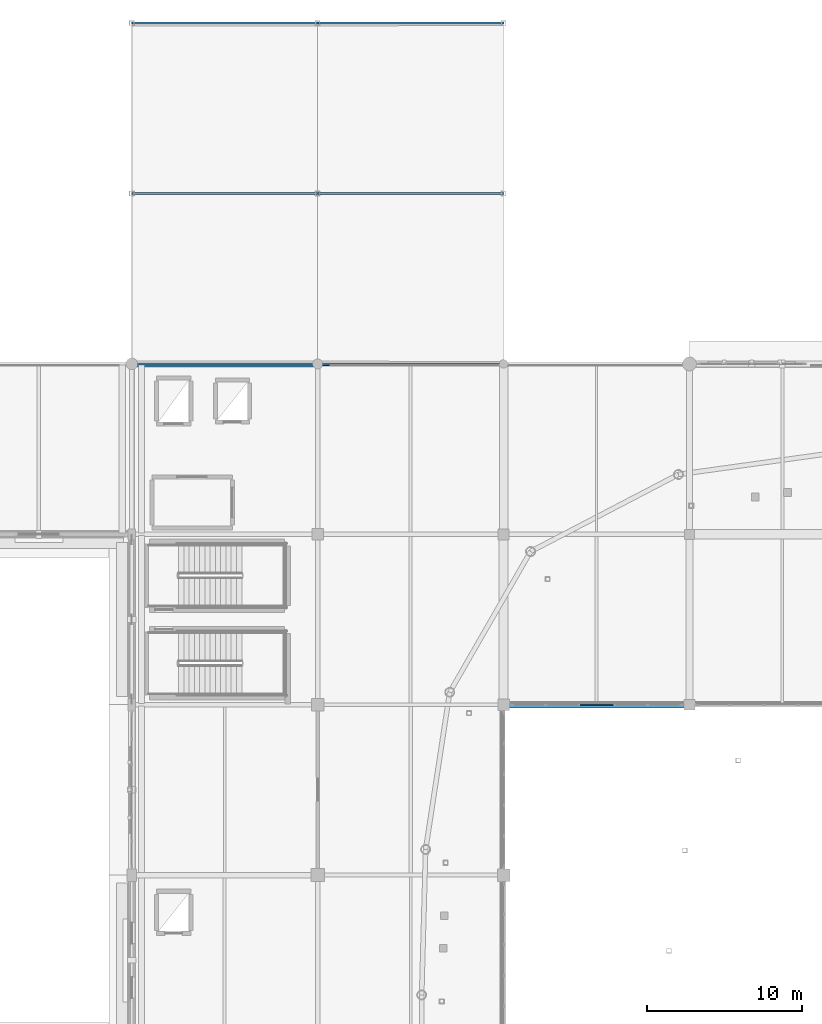
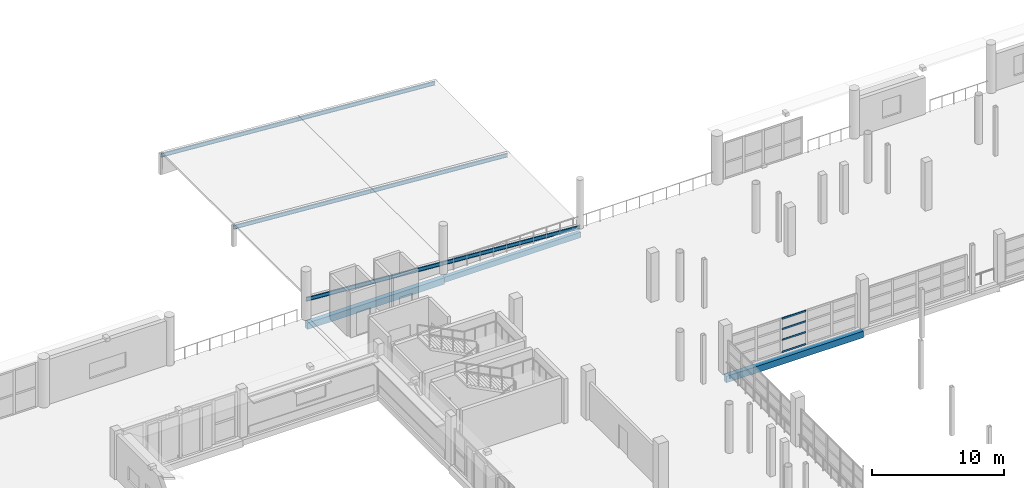
# One storey, part 42 of 118: 9 beams, 4 members, 1 element without a shape of its own.
"""IFC4 building model written with IfcOpenShell, lengths in metres."""

from ifc_helpers import new_model, si_unit, direction, frame, origin, origin_2d, place, context, subcontext, project, spatial, rectangle, hollow_rectangle, i_section, extrude, material, material_profile, profile_set, type_object, element, aggregate, save


model = new_model("IFC4")

# Units and contexts
model_context = context("Model", 3, precision=1e-05, world=origin(), true_north=direction((0.0, 1.0)))
body_context = subcontext(model_context, "Body", "Model", "MODEL_VIEW")
ifc_project = project(units=[si_unit("LENGTHUNIT", "METRE"), si_unit("AREAUNIT", "SQUARE_METRE"), si_unit("VOLUMEUNIT", "CUBIC_METRE"), si_unit("PLANEANGLEUNIT", "RADIAN"), si_unit("MASSUNIT", "GRAM", prefix="KILO")], contexts=[model_context])

# Site, building, storey
site_placement = place(None, origin())
site = spatial("IfcSite", under=ifc_project, at=site_placement, CompositionType="ELEMENT")
building_placement = place(site_placement, origin())
building = spatial("IfcBuilding", under=site, at=building_placement, Name="Luwafu Chhajja Arena", CompositionType="ELEMENT")
storey_placement = place(building_placement, frame((0.0, 0.0, 10.199951171875)))
storey = spatial("IfcBuildingStorey", under=building, at=storey_placement, Name="L02", CompositionType="ELEMENT", Elevation=10.199951171875)

# Curtain wall, members
ifc_material_1 = material(Name="Anodised bronze aluminium", Category="aluminium")
curtain_wall_type = type_object("IfcCurtainWallType", Name="Hospitality Ring Curtain Wall", PredefinedType="USERDEFINED", material=ifc_material_1)
curtain_wall_placement = place(storey_placement, origin())
curtain_wall = element("IfcCurtainWall", 1, at=curtain_wall_placement, inside=storey, type_object=curtain_wall_type, Name="L02 Bowl Viewing Curtain Wall CWR-L02-08", ObjectType="CURTAIN WALL", PredefinedType="USERDEFINED")
ifc_material_profile_1 = material_profile(ifc_material_1, rectangle(XDim=0.06494140625, YDim=0.14990234375, at=origin_2d()), Name="CWT 65x150")
ifc_profile_set_1 = profile_set([ifc_material_profile_1], Name="Anodised bronze aluminium")
member_type = type_object("IfcMemberType", Name="Bronze Curtain Wall Transom 65x150", PredefinedType="USERDEFINED", material=ifc_profile_set_1)
member_1_placement = place(storey_placement, frame((62.945556640625, 77.0, 0.032470703125), z_axis=(1.0, 0.0, 0.0), x_axis=(0.0, 1.0, 0.0)))
member_1 = element("IfcMember", 2, at=member_1_placement, type_object=member_type, Name="CW-02 transom 3.1", ObjectType="TRANSOM", PredefinedType="USERDEFINED", context=body_context, shape_type="SweptSolid", body=[
    extrude(rectangle(XDim=0.06494140625, YDim=0.14990234375, at=origin_2d()), origin(), (0.0, 0.0, 1.0), 2.134033203125),
])
member_2_placement = place(storey_placement, frame((62.945556640625, 77.0, 1.150146484375), z_axis=(1.0, 0.0, 0.0), x_axis=(0.0, 1.0, 0.0)))
member_2 = element("IfcMember", 3, at=member_2_placement, type_object=member_type, Name="CW-02 transom 3.2", ObjectType="TRANSOM", PredefinedType="USERDEFINED", context=body_context, shape_type="SweptSolid", body=[
    extrude(rectangle(XDim=0.06494140625, YDim=0.14990234375, at=origin_2d()), origin(), (0.0, 0.0, 1.0), 2.134033203125),
])
member_3_placement = place(storey_placement, frame((62.945556640625, 77.0, 2.14501953125), z_axis=(1.0, 0.0, 0.0), x_axis=(0.0, 1.0, 0.0)))
member_3 = element("IfcMember", 4, at=member_3_placement, type_object=member_type, Name="CW-02 transom 3.3", ObjectType="TRANSOM", PredefinedType="USERDEFINED", context=body_context, shape_type="SweptSolid", body=[
    extrude(rectangle(XDim=0.06494140625, YDim=0.14990234375, at=origin_2d()), origin(), (0.0, 0.0, 1.0), 2.134033203125),
])
member_4_placement = place(storey_placement, frame((62.945556640625, 77.0, 3.107666015625), z_axis=(1.0, 0.0, 0.0), x_axis=(0.0, 1.0, 0.0)))
member_4 = element("IfcMember", 5, at=member_4_placement, type_object=member_type, Name="CW-02 transom 3.4", ObjectType="TRANSOM", PredefinedType="USERDEFINED", context=body_context, shape_type="SweptSolid", body=[
    extrude(rectangle(XDim=0.06494140625, YDim=0.14990234375, at=origin_2d()), origin(), (0.0, 0.0, 1.0), 2.134033203125),
])
aggregate(curtain_wall, [member_1, member_2, member_3, member_4])

# Beams
ifc_material_2 = material(Name="Steel S355", Category="steel")
ifc_material_profile_2 = material_profile(ifc_material_2, i_section(OverallWidth=0.1259765625, OverallDepth=0.353515625, WebThickness=0.006591796875, FlangeThickness=0.0107421875, at=origin_2d()), Name="UB 356x127x39")
ifc_profile_set_2 = profile_set([ifc_material_profile_2], Name="Steel S355")
beam_type_1 = type_object("IfcBeamType", Name="Canopy Joist UB 356x127x39", PredefinedType="JOIST", material=ifc_profile_set_2)
for number, where, z_axis, x_axis, name in (
    (6, (34.0, 99.0, 1.699951171875), (0.997501578488, 0.0, -0.070644185277), (0.0, 1.0, 0.0), "L02 Charbagh Cloister Rafter 3/9"),
    (7, (46.0, 99.0, 0.85009765625), (0.997500148199, 0.0, -0.070664378174), (0.0, 1.0, 0.0), "L02 Charbagh Cloister Rafter 4/9"),
    (8, (34.0, 110.0, 1.699951171875), (0.997501578488, 0.0, -0.070644185277), (0.0, 1.0, 0.0), "L02 Charbagh Cloister Rafter 3/10"),
    (9, (46.0, 110.0, 0.85009765625), (0.997500148199, 0.0, -0.070664378174), (0.0, 1.0, 0.0), "L02 Charbagh Cloister Rafter 4/10"),
    (10, (34.0, 121.0, 1.699951171875), (0.997501578488, 0.0, -0.070644185277), (0.0, 1.0, 0.0), "L02 Charbagh Cloister Rafter 3/11"),
    (11, (46.0, 121.0, 0.85009765625), (0.997500148199, 0.0, -0.070664378174), (0.0, 1.0, 0.0), "L02 Charbagh Cloister Rafter 4/11"),
):
    element("IfcBeam", number, at=place(storey_placement, frame(where, z_axis=z_axis, x_axis=x_axis)), inside=storey, type_object=beam_type_1, Name=name, PredefinedType="JOIST", context=body_context, shape_type="SweptSolid", body=[
        extrude(i_section(OverallWidth=0.1259765625, OverallDepth=0.353515625, WebThickness=0.006591796875, FlangeThickness=0.0107421875, at=origin_2d()), origin(), (0.0, 0.0, 1.0), 12.030029296875),
    ])
ifc_material_profile_3 = material_profile(ifc_material_2, hollow_rectangle(XDim=0.300048828125, YDim=0.5, WallThickness=0.02001953125, at=origin_2d()), Name="RHS 500x300x20")
ifc_profile_set_3 = profile_set([ifc_material_profile_3], Name="Steel S355")
beam_type_2 = type_object("IfcBeamType", Name="Pleated Drum Spandrel Beam RHS 500x300", PredefinedType="SPANDREL", material=ifc_profile_set_3)
beam_placement = place(storey_placement, frame((46.0, 99.0, -0.639892578125), z_axis=(1.0, 0.0, 0.0), x_axis=(0.0, 1.0, 0.0)))
element("IfcBeam", 12, at=beam_placement, inside=storey, type_object=beam_type_2, Name="L02 Grid Beam 5-6/K", PredefinedType="SPANDREL", context=body_context, shape_type="SweptSolid", body=[
    extrude(hollow_rectangle(XDim=0.300048828125, YDim=0.5, WallThickness=0.02001953125, at=origin_2d()), origin(), (0.0, 0.0, 1.0), 12.0),
])
ifc_material_3 = material(Name="Concrete C35/45", Category="concrete")
ifc_material_profile_4 = material_profile(ifc_material_3, rectangle(XDim=0.39990234375, YDim=0.60009765625, at=origin_2d()), Name="RC 400x600")
ifc_profile_set_4 = profile_set([ifc_material_profile_4], Name="Concrete C35/45")
beam_type_3 = type_object("IfcBeamType", Name="Podium Perimeter Spandrel RC 400x600", PredefinedType="SPANDREL", material=ifc_profile_set_4)
for number, where, z_axis, x_axis, name in (
    (13, (34.0, 99.0, -0.68994140625), (1.0, 0.0, 0.0), (0.0, 1.0, 0.0), "L02 Grid Beam 4-5/K"),
    (14, (58.0, 77.0, -0.68994140625), (1.0, 0.0, 0.0), (0.0, 1.0, 0.0), "L02 Grid Beam 6-7/H"),
):
    element("IfcBeam", number, at=place(storey_placement, frame(where, z_axis=z_axis, x_axis=x_axis)), inside=storey, type_object=beam_type_3, Name=name, PredefinedType="SPANDREL", context=body_context, shape_type="SweptSolid", body=[
        extrude(rectangle(XDim=0.39990234375, YDim=0.60009765625, at=origin_2d()), origin(), (0.0, 0.0, 1.0), 12.0),
    ])

save(model, "model.ifc")
